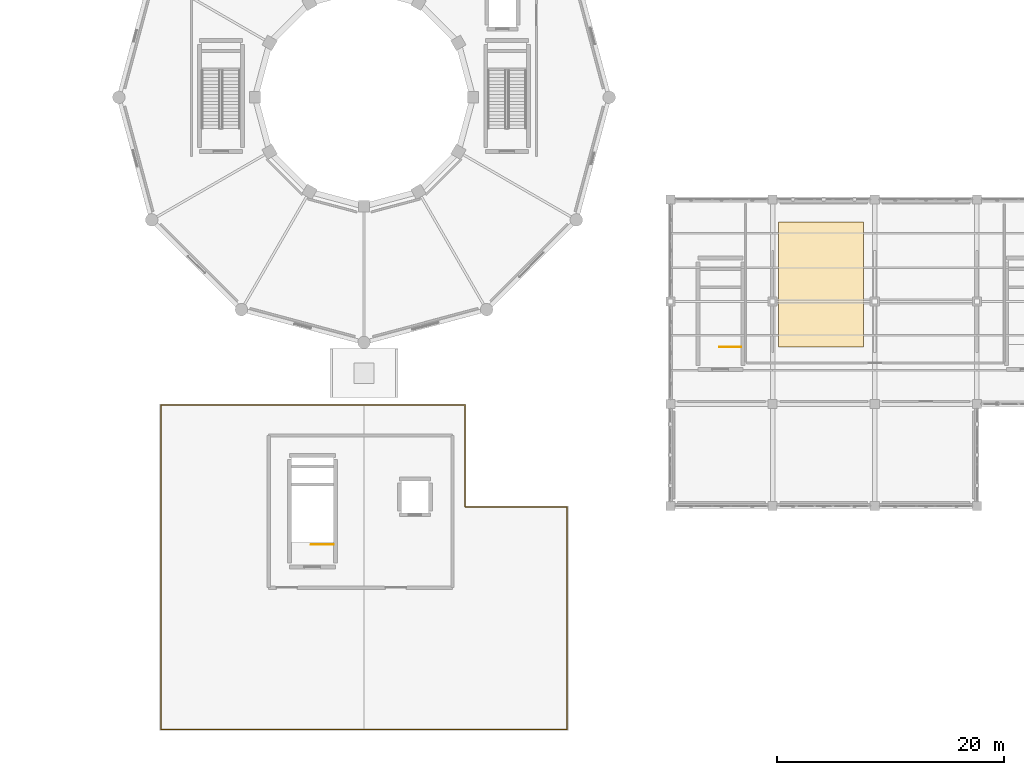
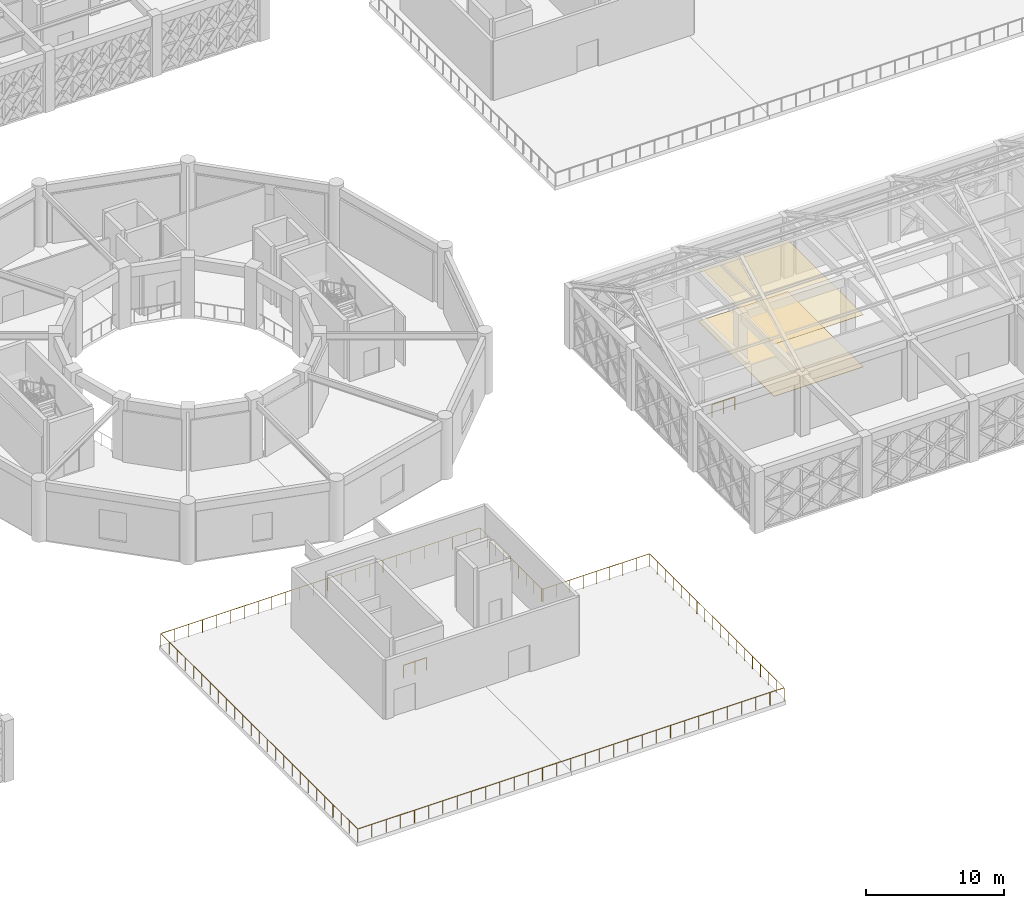
# One storey, part 81 of 86: 3 railings, 2 coverings.
"""IFC4 building model written with IfcOpenShell, lengths in metres."""

from ifc_helpers import new_model, si_unit, direction, frame, origin, origin_2d, place, context, subcontext, project, spatial, polyline, circle, outline, extrude, material, layer, layer_set, type_object, element, save


model = new_model("IFC4")

# Units and contexts
model_context = context("Model", 3, precision=1e-05, world=origin(), true_north=direction((0.0, 1.0)))
body_context = subcontext(model_context, "Body", "Model", "MODEL_VIEW")
ifc_project = project(units=[si_unit("LENGTHUNIT", "METRE"), si_unit("AREAUNIT", "SQUARE_METRE"), si_unit("VOLUMEUNIT", "CUBIC_METRE"), si_unit("PLANEANGLEUNIT", "RADIAN"), si_unit("MASSUNIT", "GRAM", prefix="KILO")], contexts=[model_context])

# Site, building, storey
site_placement = place(None, origin())
site = spatial("IfcSite", under=ifc_project, at=site_placement, CompositionType="ELEMENT")
building_placement = place(site_placement, origin())
building = spatial("IfcBuilding", under=site, at=building_placement, Name="Haizhuo Lancet Aquarium", CompositionType="ELEMENT")
storey_placement = place(building_placement, frame((0.0, 0.0, 16.199951171875)))
storey = spatial("IfcBuildingStorey", under=building, at=storey_placement, Name="L03", CompositionType="ELEMENT", Elevation=16.199951171875)

# Coverings
ifc_material_1 = material(Name="Acoustic Mineral Fibre Board")
ifc_layer_1 = layer(ifc_material_1, 0.02490234375)
ifc_layer_set_1 = layer_set([ifc_layer_1], Name="Acoustic Mineral Fibre Board")
covering_type_1 = type_object("IfcCoveringType", Name="COV-CLG-ACU", PredefinedType="CEILING", material=ifc_layer_set_1)
covering_1_placement = place(storey_placement, frame((0.0, 0.0, 4.625)))
element("IfcCovering", 1, at=covering_1_placement, inside=storey, type_object=covering_type_1, Name="L03 V3 acoustic suspended ceiling 9", PredefinedType="CEILING", context=body_context, shape_type="SweptSolid", body=[
    extrude(outline(polyline([(36.5, -22.0), (44.0, -22.0), (44.0, -11.0), (36.5, -11.0), (36.5, -22.0)])), origin(), (0.0, 0.0, 1.0), 0.025146484375),
])
ifc_material_2 = material(Name="Shandong Grey Limestone Ashlar", Category="masonry")
ifc_layer_2 = layer(ifc_material_2, 0.030029296875)
ifc_layer_set_2 = layer_set([ifc_layer_2], Name="Shandong Grey Limestone Ashlar")
covering_type_2 = type_object("IfcCoveringType", Name="COV-FLR-STN", PredefinedType="FLOORING", material=ifc_layer_set_2)
covering_2_placement = place(storey_placement, origin())
element("IfcCovering", 2, at=covering_2_placement, inside=storey, type_object=covering_type_2, Name="L03 V3 limestone floor finish 9", PredefinedType="FLOORING", context=body_context, shape_type="SweptSolid", body=[
    extrude(outline(polyline([(36.5, -22.0), (44.0, -22.0), (44.0, -11.0), (36.5, -11.0), (36.5, -22.0)])), origin(), (0.0, 0.0, 1.0), 0.030029296875),
])

# Railings
ifc_material_3 = material(Name="Steel S355", Category="steel")
railing_type_1 = type_object("IfcRailingType", Name="RL-BAL-1150", PredefinedType="BALUSTRADE", material=ifc_material_3)
railing_1_placement = place(storey_placement, frame((-17.89990234375, -55.699951171875, 0.0)))
element("IfcRailing", 3, at=railing_1_placement, inside=storey, type_object=railing_type_1, Name="L03 V4 planted roof garden perimeter balustrade", PredefinedType="BALUSTRADE", context=body_context, shape_type="SweptSolid", body=[
    extrude(circle(Radius=0.02392578125, at=origin_2d()), frame((0.0, 0.030029296875, 1.1259765625), z_axis=(0.0, 1.0, 0.0), x_axis=(-1.0, 0.0, 0.0)), (0.0, 0.0, 1.0), 28.539794921875),
    extrude(circle(Radius=0.02392578125, at=origin_2d()), frame((0.030029296875, 28.599853515625, 1.1259765625), z_axis=(1.0, 0.0, 0.0), x_axis=(0.0, 1.0, 0.0)), (0.0, 0.0, 1.0), 26.73974609375),
    extrude(circle(Radius=0.02392578125, at=origin_2d()), frame((26.7998046875, 28.56982421875, 1.1259765625), z_axis=(0.0, -1.0, 0.0), x_axis=(1.0, 0.0, 0.0)), (0.0, 0.0, 1.0), 8.83984375),
    extrude(circle(Radius=0.02392578125, at=origin_2d()), frame((26.7998046875, 19.698486328125, 1.1259765625), z_axis=(0.0, -1.0, 0.0), x_axis=(1.0, 0.0, 0.0)), (0.0, 0.0, 1.0), 0.010009765625),
    extrude(circle(Radius=0.02392578125, at=origin_2d()), frame((26.800048828125, 19.6884765625, 1.1259765625), z_axis=(0.214407294843, -0.976744343172, 0.0), x_axis=(0.976744343172, 0.214407294843, 0.0)), (0.0, 0.0, 1.0), 0.010009765625),
    extrude(circle(Radius=0.02392578125, at=origin_2d()), frame((26.80224609375, 19.678466796875, 1.1259765625), z_axis=(0.211332792528, -0.97741416544, 0.0), x_axis=(0.97741416544, 0.211332792528, 0.0)), (0.0, 0.0, 1.0), 0.010009765625),
    extrude(circle(Radius=0.02392578125, at=origin_2d()), frame((26.804443359375, 19.66943359375, 1.1259765625), z_axis=(0.396911150685, -0.91785703596, 0.0), x_axis=(0.91785703596, 0.396911150685, 0.0)), (0.0, 0.0, 1.0), 0.010009765625),
    extrude(circle(Radius=0.02392578125, at=origin_2d()), frame((26.80859375, 19.660400390625, 1.1259765625), z_axis=(0.417500171551, -0.908676843963, 0.0), x_axis=(0.908676843963, 0.417500171551, 0.0)), (0.0, 0.0, 1.0), 0.010009765625),
    extrude(circle(Radius=0.02392578125, at=origin_2d()), frame((26.812744140625, 19.651611328125, 1.1259765625), z_axis=(0.485642931179, -0.874157276122, 0.0), x_axis=(0.874157276122, 0.485642931179, 0.0)), (0.0, 0.0, 1.0), 0.010009765625),
    extrude(circle(Radius=0.02392578125, at=origin_2d()), frame((26.81787109375, 19.64306640625, 1.1259765625), z_axis=(0.652939622069, -0.757409961601, 0.0), x_axis=(0.757409961601, 0.652939622069, 0.0)), (0.0, 0.0, 1.0), 0.010009765625),
    extrude(circle(Radius=0.02392578125, at=origin_2d()), frame((26.823974609375, 19.6357421875, 1.1259765625), z_axis=(0.588171697675, -0.808736084303, 0.0), x_axis=(0.808736084303, 0.588171697675, 0.0)), (0.0, 0.0, 1.0), 0.010009765625),
    extrude(circle(Radius=0.02392578125, at=origin_2d()), frame((26.830078125, 19.6279296875, 1.1259765625), z_axis=(0.808736084303, -0.588171697675, 0.0), x_axis=(0.588171697675, 0.808736084303, 0.0)), (0.0, 0.0, 1.0), 0.010009765625),
    extrude(circle(Radius=0.02392578125, at=origin_2d()), frame((26.837890625, 19.6220703125, 1.1259765625), z_axis=(0.757409961601, -0.652939622069, 0.0), x_axis=(0.652939622069, 0.757409961601, 0.0)), (0.0, 0.0, 1.0), 0.010009765625),
    extrude(circle(Radius=0.02392578125, at=origin_2d()), frame((26.84521484375, 19.6162109375, 1.1259765625), z_axis=(0.874157276122, -0.485642931179, 0.0), x_axis=(0.485642931179, 0.874157276122, 0.0)), (0.0, 0.0, 1.0), 0.010009765625),
    extrude(circle(Radius=0.02392578125, at=origin_2d()), frame((26.854248046875, 19.611328125, 1.1259765625), z_axis=(0.908676843963, -0.417500171551, 0.0), x_axis=(0.417500171551, 0.908676843963, 0.0)), (0.0, 0.0, 1.0), 0.010009765625),
    extrude(circle(Radius=0.02392578125, at=origin_2d()), frame((26.86328125, 19.607421875, 1.1259765625), z_axis=(0.91785703596, -0.396911150685, 0.0), x_axis=(0.396911150685, 0.91785703596, 0.0)), (0.0, 0.0, 1.0), 0.010009765625),
    extrude(circle(Radius=0.02392578125, at=origin_2d()), frame((26.872314453125, 19.603759765625, 1.1259765625), z_axis=(0.97741416544, -0.211332792528, 0.0), x_axis=(0.211332792528, 0.97741416544, 0.0)), (0.0, 0.0, 1.0), 0.010009765625),
    extrude(circle(Radius=0.02392578125, at=origin_2d()), frame((26.88134765625, 19.601806640625, 1.1259765625), z_axis=(0.976744343172, -0.214407294843, 0.0), x_axis=(0.214407294843, 0.976744343172, 0.0)), (0.0, 0.0, 1.0), 0.010009765625),
    extrude(circle(Radius=0.02392578125, at=origin_2d()), frame((26.891357421875, 19.599853515625, 1.1259765625), z_axis=(1.0, 0.0, 0.0), x_axis=(0.0, 1.0, 0.0)), (0.0, 0.0, 1.0), 0.010009765625),
    extrude(circle(Radius=0.02392578125, at=origin_2d()), frame((26.929931640625, 19.599853515625, 1.1259765625), z_axis=(1.0, 0.0, 0.0), x_axis=(0.0, 1.0, 0.0)), (0.0, 0.0, 1.0), 8.83984375),
    extrude(circle(Radius=0.02392578125, at=origin_2d()), frame((35.7998046875, 19.56982421875, 1.1259765625), z_axis=(0.0, -1.0, 0.0), x_axis=(1.0, 0.0, 0.0)), (0.0, 0.0, 1.0), 19.539794921875),
    extrude(circle(Radius=0.02392578125, at=origin_2d()), frame((35.769775390625, 0.0, 1.1259765625), z_axis=(-1.0, 0.0, 0.0), x_axis=(0.0, -1.0, 0.0)), (0.0, 0.0, 1.0), 35.73974609375),
    extrude(circle(Radius=0.02099609375, at=origin_2d()), origin(), (0.0, 0.0, 1.0), 1.097900390625),
    extrude(circle(Radius=0.02099609375, at=origin_2d()), frame((0.0, 1.191650390625, 0.0)), (0.0, 0.0, 1.0), 1.097900390625),
    extrude(circle(Radius=0.02099609375, at=origin_2d()), frame((0.0, 2.38330078125, 0.0)), (0.0, 0.0, 1.0), 1.097900390625),
    extrude(circle(Radius=0.02099609375, at=origin_2d()), frame((0.0, 3.574951171875, 0.0)), (0.0, 0.0, 1.0), 1.097900390625),
    extrude(circle(Radius=0.02099609375, at=origin_2d()), frame((0.0, 4.7666015625, 0.0)), (0.0, 0.0, 1.0), 1.097900390625),
    extrude(circle(Radius=0.02099609375, at=origin_2d()), frame((0.0, 5.958251953125, 0.0)), (0.0, 0.0, 1.0), 1.097900390625),
    extrude(circle(Radius=0.02099609375, at=origin_2d()), frame((0.0, 7.14990234375, 0.0)), (0.0, 0.0, 1.0), 1.097900390625),
    extrude(circle(Radius=0.02099609375, at=origin_2d()), frame((0.0, 8.341552734375, 0.0)), (0.0, 0.0, 1.0), 1.097900390625),
    extrude(circle(Radius=0.02099609375, at=origin_2d()), frame((0.0, 9.533203125, 0.0)), (0.0, 0.0, 1.0), 1.097900390625),
    extrude(circle(Radius=0.02099609375, at=origin_2d()), frame((0.0, 10.724853515625, 0.0)), (0.0, 0.0, 1.0), 1.097900390625),
    extrude(circle(Radius=0.02099609375, at=origin_2d()), frame((0.0, 11.91650390625, 0.0)), (0.0, 0.0, 1.0), 1.097900390625),
    extrude(circle(Radius=0.02099609375, at=origin_2d()), frame((0.0, 13.108154296875, 0.0)), (0.0, 0.0, 1.0), 1.097900390625),
    extrude(circle(Radius=0.02099609375, at=origin_2d()), frame((0.0, 14.2998046875, 0.0)), (0.0, 0.0, 1.0), 1.097900390625),
    extrude(circle(Radius=0.02099609375, at=origin_2d()), frame((0.0, 15.49169921875, 0.0)), (0.0, 0.0, 1.0), 1.097900390625),
    extrude(circle(Radius=0.02099609375, at=origin_2d()), frame((0.0, 16.683349609375, 0.0)), (0.0, 0.0, 1.0), 1.097900390625),
    extrude(circle(Radius=0.02099609375, at=origin_2d()), frame((0.0, 17.875, 0.0)), (0.0, 0.0, 1.0), 1.097900390625),
    extrude(circle(Radius=0.02099609375, at=origin_2d()), frame((0.0, 19.066650390625, 0.0)), (0.0, 0.0, 1.0), 1.097900390625),
    extrude(circle(Radius=0.02099609375, at=origin_2d()), frame((0.0, 20.25830078125, 0.0)), (0.0, 0.0, 1.0), 1.097900390625),
    extrude(circle(Radius=0.02099609375, at=origin_2d()), frame((0.0, 21.449951171875, 0.0)), (0.0, 0.0, 1.0), 1.097900390625),
    extrude(circle(Radius=0.02099609375, at=origin_2d()), frame((0.0, 22.6416015625, 0.0)), (0.0, 0.0, 1.0), 1.097900390625),
    extrude(circle(Radius=0.02099609375, at=origin_2d()), frame((0.0, 23.833251953125, 0.0)), (0.0, 0.0, 1.0), 1.097900390625),
    extrude(circle(Radius=0.02099609375, at=origin_2d()), frame((0.0, 25.02490234375, 0.0)), (0.0, 0.0, 1.0), 1.097900390625),
    extrude(circle(Radius=0.02099609375, at=origin_2d()), frame((0.0, 26.216552734375, 0.0)), (0.0, 0.0, 1.0), 1.097900390625),
    extrude(circle(Radius=0.02099609375, at=origin_2d()), frame((0.0, 27.408203125, 0.0)), (0.0, 0.0, 1.0), 1.097900390625),
    extrude(circle(Radius=0.02099609375, at=origin_2d()), frame((0.0, 28.599853515625, 0.0)), (0.0, 0.0, 1.0), 1.097900390625),
    extrude(circle(Radius=0.02099609375, at=origin_2d()), frame((1.165283203125, 28.599853515625, 0.0)), (0.0, 0.0, 1.0), 1.097900390625),
    extrude(circle(Radius=0.02099609375, at=origin_2d()), frame((2.330322265625, 28.599853515625, 0.0)), (0.0, 0.0, 1.0), 1.097900390625),
    extrude(circle(Radius=0.02099609375, at=origin_2d()), frame((3.49560546875, 28.599853515625, 0.0)), (0.0, 0.0, 1.0), 1.097900390625),
    extrude(circle(Radius=0.02099609375, at=origin_2d()), frame((4.660888671875, 28.599853515625, 0.0)), (0.0, 0.0, 1.0), 1.097900390625),
    extrude(circle(Radius=0.02099609375, at=origin_2d()), frame((5.825927734375, 28.599853515625, 0.0)), (0.0, 0.0, 1.0), 1.097900390625),
    extrude(circle(Radius=0.02099609375, at=origin_2d()), frame((6.9912109375, 28.599853515625, 0.0)), (0.0, 0.0, 1.0), 1.097900390625),
    extrude(circle(Radius=0.02099609375, at=origin_2d()), frame((8.156494140625, 28.599853515625, 0.0)), (0.0, 0.0, 1.0), 1.097900390625),
    extrude(circle(Radius=0.02099609375, at=origin_2d()), frame((9.32177734375, 28.599853515625, 0.0)), (0.0, 0.0, 1.0), 1.097900390625),
    extrude(circle(Radius=0.02099609375, at=origin_2d()), frame((10.48681640625, 28.599853515625, 0.0)), (0.0, 0.0, 1.0), 1.097900390625),
    extrude(circle(Radius=0.02099609375, at=origin_2d()), frame((11.652099609375, 28.599853515625, 0.0)), (0.0, 0.0, 1.0), 1.097900390625),
    extrude(circle(Radius=0.02099609375, at=origin_2d()), frame((12.8173828125, 28.599853515625, 0.0)), (0.0, 0.0, 1.0), 1.097900390625),
    extrude(circle(Radius=0.02099609375, at=origin_2d()), frame((13.982421875, 28.599853515625, 0.0)), (0.0, 0.0, 1.0), 1.097900390625),
    extrude(circle(Radius=0.02099609375, at=origin_2d()), frame((15.147705078125, 28.599853515625, 0.0)), (0.0, 0.0, 1.0), 1.097900390625),
    extrude(circle(Radius=0.02099609375, at=origin_2d()), frame((16.31298828125, 28.599853515625, 0.0)), (0.0, 0.0, 1.0), 1.097900390625),
    extrude(circle(Radius=0.02099609375, at=origin_2d()), frame((17.47802734375, 28.599853515625, 0.0)), (0.0, 0.0, 1.0), 1.097900390625),
    extrude(circle(Radius=0.02099609375, at=origin_2d()), frame((18.643310546875, 28.599853515625, 0.0)), (0.0, 0.0, 1.0), 1.097900390625),
    extrude(circle(Radius=0.02099609375, at=origin_2d()), frame((19.80859375, 28.599853515625, 0.0)), (0.0, 0.0, 1.0), 1.097900390625),
    extrude(circle(Radius=0.02099609375, at=origin_2d()), frame((20.973876953125, 28.599853515625, 0.0)), (0.0, 0.0, 1.0), 1.097900390625),
    extrude(circle(Radius=0.02099609375, at=origin_2d()), frame((22.138916015625, 28.599853515625, 0.0)), (0.0, 0.0, 1.0), 1.097900390625),
    extrude(circle(Radius=0.02099609375, at=origin_2d()), frame((23.30419921875, 28.599853515625, 0.0)), (0.0, 0.0, 1.0), 1.097900390625),
    extrude(circle(Radius=0.02099609375, at=origin_2d()), frame((24.469482421875, 28.599853515625, 0.0)), (0.0, 0.0, 1.0), 1.097900390625),
    extrude(circle(Radius=0.02099609375, at=origin_2d()), frame((25.634521484375, 28.599853515625, 0.0)), (0.0, 0.0, 1.0), 1.097900390625),
    extrude(circle(Radius=0.02099609375, at=origin_2d()), frame((26.7998046875, 28.599853515625, 0.0)), (0.0, 0.0, 1.0), 1.097900390625),
    extrude(circle(Radius=0.02099609375, at=origin_2d()), frame((26.7998046875, 27.4873046875, 0.0)), (0.0, 0.0, 1.0), 1.097900390625),
    extrude(circle(Radius=0.02099609375, at=origin_2d()), frame((26.7998046875, 26.375, 0.0)), (0.0, 0.0, 1.0), 1.097900390625),
    extrude(circle(Radius=0.02099609375, at=origin_2d()), frame((26.7998046875, 25.262451171875, 0.0)), (0.0, 0.0, 1.0), 1.097900390625),
    extrude(circle(Radius=0.02099609375, at=origin_2d()), frame((26.7998046875, 24.14990234375, 0.0)), (0.0, 0.0, 1.0), 1.097900390625),
    extrude(circle(Radius=0.02099609375, at=origin_2d()), frame((26.7998046875, 23.037353515625, 0.0)), (0.0, 0.0, 1.0), 1.097900390625),
    extrude(circle(Radius=0.02099609375, at=origin_2d()), frame((26.7998046875, 21.9248046875, 0.0)), (0.0, 0.0, 1.0), 1.097900390625),
    extrude(circle(Radius=0.02099609375, at=origin_2d()), frame((26.7998046875, 20.8125, 0.0)), (0.0, 0.0, 1.0), 1.097900390625),
    extrude(circle(Radius=0.02099609375, at=origin_2d()), frame((26.7998046875, 19.699951171875, 0.0)), (0.0, 0.0, 1.0), 1.097900390625),
    extrude(circle(Radius=0.02099609375, at=origin_2d()), frame((26.822998046875, 19.636962890625, 0.0)), (0.0, 0.0, 1.0), 1.097900390625),
    extrude(circle(Radius=0.02099609375, at=origin_2d()), frame((26.8798828125, 19.60205078125, 0.0)), (0.0, 0.0, 1.0), 1.097900390625),
    extrude(circle(Radius=0.02099609375, at=origin_2d()), frame((28.012451171875, 19.599853515625, 0.0)), (0.0, 0.0, 1.0), 1.097900390625),
    extrude(circle(Radius=0.02099609375, at=origin_2d()), frame((29.125, 19.599853515625, 0.0)), (0.0, 0.0, 1.0), 1.097900390625),
    extrude(circle(Radius=0.02099609375, at=origin_2d()), frame((30.2373046875, 19.599853515625, 0.0)), (0.0, 0.0, 1.0), 1.097900390625),
    extrude(circle(Radius=0.02099609375, at=origin_2d()), frame((31.349853515625, 19.599853515625, 0.0)), (0.0, 0.0, 1.0), 1.097900390625),
    extrude(circle(Radius=0.02099609375, at=origin_2d()), frame((32.46240234375, 19.599853515625, 0.0)), (0.0, 0.0, 1.0), 1.097900390625),
    extrude(circle(Radius=0.02099609375, at=origin_2d()), frame((33.57470703125, 19.599853515625, 0.0)), (0.0, 0.0, 1.0), 1.097900390625),
    extrude(circle(Radius=0.02099609375, at=origin_2d()), frame((34.687255859375, 19.599853515625, 0.0)), (0.0, 0.0, 1.0), 1.097900390625),
    extrude(circle(Radius=0.02099609375, at=origin_2d()), frame((35.7998046875, 19.599853515625, 0.0)), (0.0, 0.0, 1.0), 1.097900390625),
    extrude(circle(Radius=0.02099609375, at=origin_2d()), frame((35.7998046875, 18.447021484375, 0.0)), (0.0, 0.0, 1.0), 1.097900390625),
    extrude(circle(Radius=0.02099609375, at=origin_2d()), frame((35.7998046875, 17.2939453125, 0.0)), (0.0, 0.0, 1.0), 1.097900390625),
    extrude(circle(Radius=0.02099609375, at=origin_2d()), frame((35.7998046875, 16.14111328125, 0.0)), (0.0, 0.0, 1.0), 1.097900390625),
    extrude(circle(Radius=0.02099609375, at=origin_2d()), frame((35.7998046875, 14.988037109375, 0.0)), (0.0, 0.0, 1.0), 1.097900390625),
    extrude(circle(Radius=0.02099609375, at=origin_2d()), frame((35.7998046875, 13.835205078125, 0.0)), (0.0, 0.0, 1.0), 1.097900390625),
    extrude(circle(Radius=0.02099609375, at=origin_2d()), frame((35.7998046875, 12.682373046875, 0.0)), (0.0, 0.0, 1.0), 1.097900390625),
    extrude(circle(Radius=0.02099609375, at=origin_2d()), frame((35.7998046875, 11.529296875, 0.0)), (0.0, 0.0, 1.0), 1.097900390625),
    extrude(circle(Radius=0.02099609375, at=origin_2d()), frame((35.7998046875, 10.37646484375, 0.0)), (0.0, 0.0, 1.0), 1.097900390625),
    extrude(circle(Radius=0.02099609375, at=origin_2d()), frame((35.7998046875, 9.223388671875, 0.0)), (0.0, 0.0, 1.0), 1.097900390625),
    extrude(circle(Radius=0.02099609375, at=origin_2d()), frame((35.7998046875, 8.070556640625, 0.0)), (0.0, 0.0, 1.0), 1.097900390625),
    extrude(circle(Radius=0.02099609375, at=origin_2d()), frame((35.7998046875, 6.91748046875, 0.0)), (0.0, 0.0, 1.0), 1.097900390625),
    extrude(circle(Radius=0.02099609375, at=origin_2d()), frame((35.7998046875, 5.7646484375, 0.0)), (0.0, 0.0, 1.0), 1.097900390625),
    extrude(circle(Radius=0.02099609375, at=origin_2d()), frame((35.7998046875, 4.61181640625, 0.0)), (0.0, 0.0, 1.0), 1.097900390625),
    extrude(circle(Radius=0.02099609375, at=origin_2d()), frame((35.7998046875, 3.458740234375, 0.0)), (0.0, 0.0, 1.0), 1.097900390625),
    extrude(circle(Radius=0.02099609375, at=origin_2d()), frame((35.7998046875, 2.305908203125, 0.0)), (0.0, 0.0, 1.0), 1.097900390625),
    extrude(circle(Radius=0.02099609375, at=origin_2d()), frame((35.7998046875, 1.15283203125, 0.0)), (0.0, 0.0, 1.0), 1.097900390625),
    extrude(circle(Radius=0.02099609375, at=origin_2d()), frame((35.7998046875, 0.0, 0.0)), (0.0, 0.0, 1.0), 1.097900390625),
    extrude(circle(Radius=0.02099609375, at=origin_2d()), frame((34.6064453125, 0.0, 0.0)), (0.0, 0.0, 1.0), 1.097900390625),
    extrude(circle(Radius=0.02099609375, at=origin_2d()), frame((33.4130859375, 0.0, 0.0)), (0.0, 0.0, 1.0), 1.097900390625),
    extrude(circle(Radius=0.02099609375, at=origin_2d()), frame((32.2197265625, 0.0, 0.0)), (0.0, 0.0, 1.0), 1.097900390625),
    extrude(circle(Radius=0.02099609375, at=origin_2d()), frame((31.026611328125, 0.0, 0.0)), (0.0, 0.0, 1.0), 1.097900390625),
    extrude(circle(Radius=0.02099609375, at=origin_2d()), frame((29.833251953125, 0.0, 0.0)), (0.0, 0.0, 1.0), 1.097900390625),
    extrude(circle(Radius=0.02099609375, at=origin_2d()), frame((28.639892578125, 0.0, 0.0)), (0.0, 0.0, 1.0), 1.097900390625),
    extrude(circle(Radius=0.02099609375, at=origin_2d()), frame((27.446533203125, 0.0, 0.0)), (0.0, 0.0, 1.0), 1.097900390625),
    extrude(circle(Radius=0.02099609375, at=origin_2d()), frame((26.253173828125, 0.0, 0.0)), (0.0, 0.0, 1.0), 1.097900390625),
    extrude(circle(Radius=0.02099609375, at=origin_2d()), frame((25.059814453125, 0.0, 0.0)), (0.0, 0.0, 1.0), 1.097900390625),
    extrude(circle(Radius=0.02099609375, at=origin_2d()), frame((23.866455078125, 0.0, 0.0)), (0.0, 0.0, 1.0), 1.097900390625),
    extrude(circle(Radius=0.02099609375, at=origin_2d()), frame((22.673095703125, 0.0, 0.0)), (0.0, 0.0, 1.0), 1.097900390625),
    extrude(circle(Radius=0.02099609375, at=origin_2d()), frame((21.47998046875, 0.0, 0.0)), (0.0, 0.0, 1.0), 1.097900390625),
    extrude(circle(Radius=0.02099609375, at=origin_2d()), frame((20.28662109375, 0.0, 0.0)), (0.0, 0.0, 1.0), 1.097900390625),
    extrude(circle(Radius=0.02099609375, at=origin_2d()), frame((19.09326171875, 0.0, 0.0)), (0.0, 0.0, 1.0), 1.097900390625),
    extrude(circle(Radius=0.02099609375, at=origin_2d()), frame((17.89990234375, 0.0, 0.0)), (0.0, 0.0, 1.0), 1.097900390625),
    extrude(circle(Radius=0.02099609375, at=origin_2d()), frame((16.70654296875, 0.0, 0.0)), (0.0, 0.0, 1.0), 1.097900390625),
    extrude(circle(Radius=0.02099609375, at=origin_2d()), frame((15.51318359375, 0.0, 0.0)), (0.0, 0.0, 1.0), 1.097900390625),
    extrude(circle(Radius=0.02099609375, at=origin_2d()), frame((14.31982421875, 0.0, 0.0)), (0.0, 0.0, 1.0), 1.097900390625),
    extrude(circle(Radius=0.02099609375, at=origin_2d()), frame((13.126708984375, 0.0, 0.0)), (0.0, 0.0, 1.0), 1.097900390625),
    extrude(circle(Radius=0.02099609375, at=origin_2d()), frame((11.933349609375, 0.0, 0.0)), (0.0, 0.0, 1.0), 1.097900390625),
    extrude(circle(Radius=0.02099609375, at=origin_2d()), frame((10.739990234375, 0.0, 0.0)), (0.0, 0.0, 1.0), 1.097900390625),
    extrude(circle(Radius=0.02099609375, at=origin_2d()), frame((9.546630859375, 0.0, 0.0)), (0.0, 0.0, 1.0), 1.097900390625),
    extrude(circle(Radius=0.02099609375, at=origin_2d()), frame((8.353271484375, 0.0, 0.0)), (0.0, 0.0, 1.0), 1.097900390625),
    extrude(circle(Radius=0.02099609375, at=origin_2d()), frame((7.159912109375, 0.0, 0.0)), (0.0, 0.0, 1.0), 1.097900390625),
    extrude(circle(Radius=0.02099609375, at=origin_2d()), frame((5.966552734375, 0.0, 0.0)), (0.0, 0.0, 1.0), 1.097900390625),
    extrude(circle(Radius=0.02099609375, at=origin_2d()), frame((4.773193359375, 0.0, 0.0)), (0.0, 0.0, 1.0), 1.097900390625),
    extrude(circle(Radius=0.02099609375, at=origin_2d()), frame((3.580078125, 0.0, 0.0)), (0.0, 0.0, 1.0), 1.097900390625),
    extrude(circle(Radius=0.02099609375, at=origin_2d()), frame((2.38671875, 0.0, 0.0)), (0.0, 0.0, 1.0), 1.097900390625),
    extrude(circle(Radius=0.02099609375, at=origin_2d()), frame((1.193359375, 0.0, 0.0)), (0.0, 0.0, 1.0), 1.097900390625),
])
railing_type_2 = type_object("IfcRailingType", Name="RL-GRD-1150", PredefinedType="GUARDRAIL", material=ifc_material_3)
railing_2_placement = place(storey_placement, frame((33.199951171875, -22.0, 0.0)))
element("IfcRailing", 4, at=railing_2_placement, inside=storey, type_object=railing_type_2, Name="L03 ST-04 top well guard 1", PredefinedType="GUARDRAIL", context=body_context, shape_type="SweptSolid", body=[
    extrude(circle(Radius=0.02392578125, at=origin_2d()), frame((-0.030029296875, 0.0, 1.1259765625), z_axis=(-1.0, 0.0, 0.0), x_axis=(0.0, -1.0, 0.0)), (0.0, 0.0, 1.0), 1.83984375),
    extrude(circle(Radius=0.02099609375, at=origin_2d()), origin(), (0.0, 0.0, 1.0), 1.097900390625),
    extrude(circle(Radius=0.02099609375, at=origin_2d()), frame((-0.949951171875, 0.0, 0.0)), (0.0, 0.0, 1.0), 1.097900390625),
    extrude(circle(Radius=0.02099609375, at=origin_2d()), frame((-1.89990234375, 0.0, 0.0)), (0.0, 0.0, 1.0), 1.097900390625),
])
railing_3_placement = place(storey_placement, frame((-2.699951171875, -39.39990234375, 0.0)))
element("IfcRailing", 5, at=railing_3_placement, inside=storey, type_object=railing_type_2, Name="L03 ST-06 top well guard 1", PredefinedType="GUARDRAIL", context=body_context, shape_type="SweptSolid", body=[
    extrude(circle(Radius=0.02392578125, at=origin_2d()), frame((-0.030029296875, 0.0, 1.1259765625), z_axis=(-1.0, 0.0, 0.0), x_axis=(0.0, -1.0, 0.0)), (0.0, 0.0, 1.0), 1.889892578125),
    extrude(circle(Radius=0.02099609375, at=origin_2d()), origin(), (0.0, 0.0, 1.0), 1.097900390625),
    extrude(circle(Radius=0.02099609375, at=origin_2d()), frame((-0.97509765625, 0.0, 0.0)), (0.0, 0.0, 1.0), 1.097900390625),
    extrude(circle(Radius=0.02099609375, at=origin_2d()), frame((-1.949951171875, 0.0, 0.0)), (0.0, 0.0, 1.0), 1.097900390625),
])

save(model, "model.ifc")
